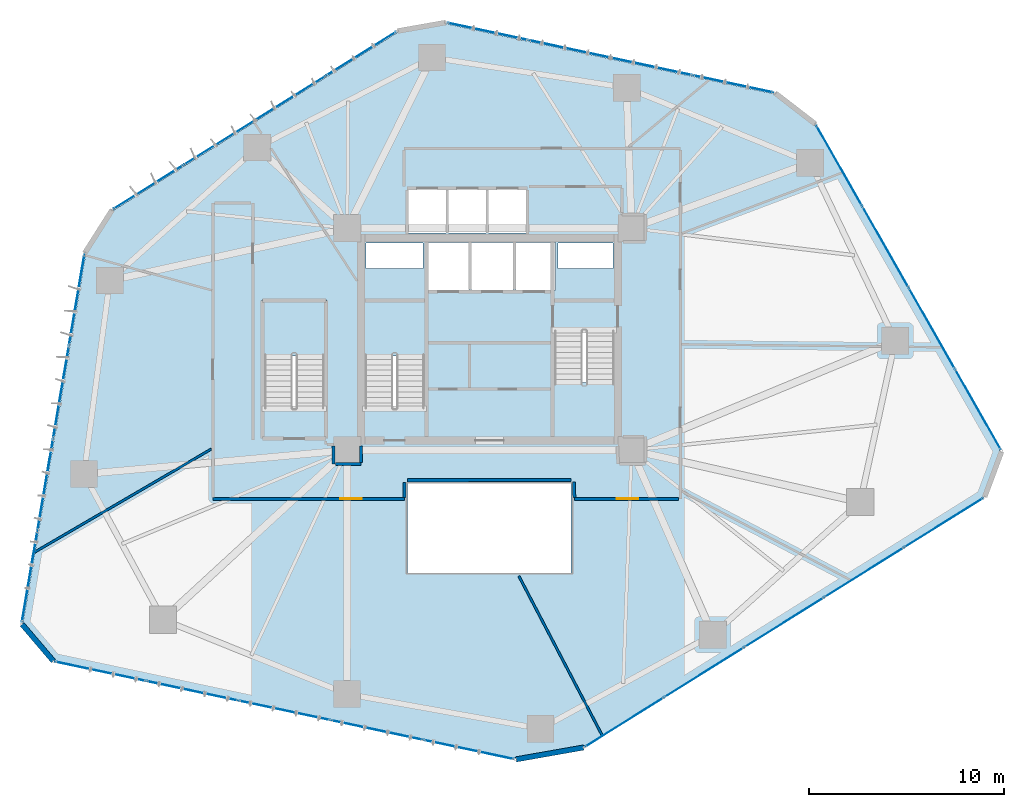
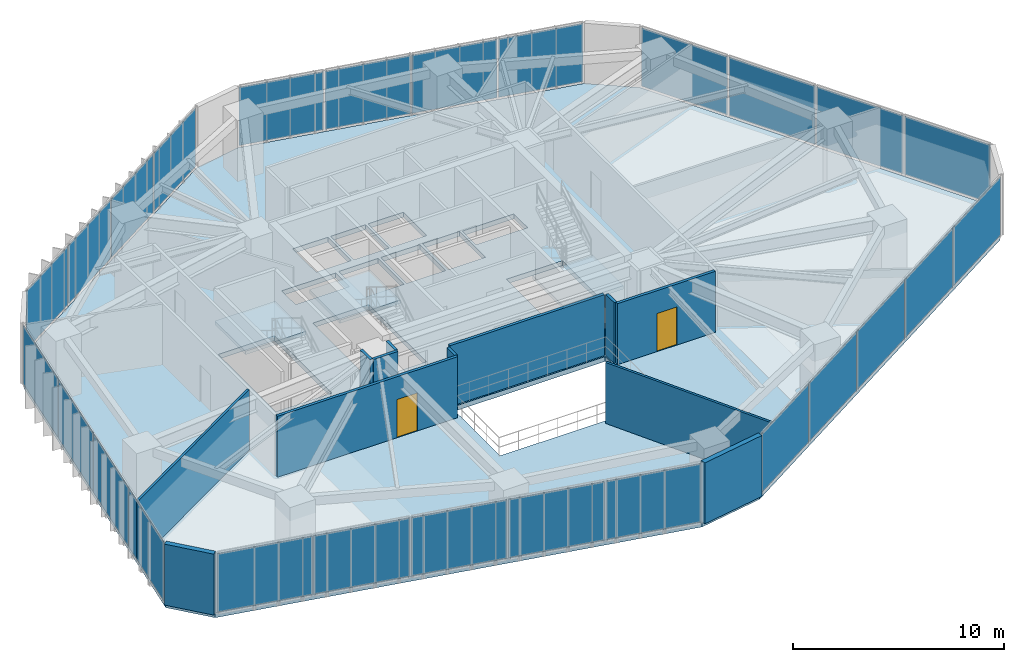
# One storey, part 16 of 22: 26 plates, 12 walls, 4 slabs, 2 doors, 2 openings, 9 elements without a shape of their own.
"""IFC4 building model written with IfcOpenShell, lengths in metres."""

from ifc_helpers import new_model, si_unit, direction, frame, frame_2d, origin, origin_2d, place, context, subcontext, project, spatial, polyline, rectangle, outline, extrude, source, transform, mapped, material, layer, layer_set, type_object, type_shapes, element, fill, aggregate, save


model = new_model("IFC4")

# Units and contexts
model_context = context("Model", 3, precision=1e-05, world=origin(), true_north=direction((0.0, 1.0)))
body_context = subcontext(model_context, "Body", "Model", "MODEL_VIEW")
ifc_project = project(units=[si_unit("LENGTHUNIT", "METRE"), si_unit("AREAUNIT", "SQUARE_METRE"), si_unit("VOLUMEUNIT", "CUBIC_METRE"), si_unit("PLANEANGLEUNIT", "RADIAN"), si_unit("MASSUNIT", "GRAM", prefix="KILO")], contexts=[model_context])

# Site, building, storey
site_placement = place(None, origin())
site = spatial("IfcSite", under=ifc_project, at=site_placement, CompositionType="ELEMENT")
building_placement = place(site_placement, origin())
building = spatial("IfcBuilding", under=site, at=building_placement, Name="Talar Marvaseh", CompositionType="ELEMENT")
storey_placement = place(building_placement, frame((0.0, 0.0, 54.39990234375)))
storey = spatial("IfcBuildingStorey", under=building, at=storey_placement, Name="L13", CompositionType="ELEMENT", Elevation=54.39990234375)

# Stair, slab
ifc_material_1 = material(Name="Concrete C40/50", Category="concrete")
stair_type = type_object("IfcStairType", Name="Reinforced Concrete Half-Turn Exit Stair Type B", PredefinedType="HALF_TURN_STAIR", material=ifc_material_1)
stair_1_placement = place(storey_placement, origin())
stair_1 = element("IfcStair", 1, at=stair_1_placement, inside=storey, type_object=stair_type, Name="L13 Tower West Core Exit Stair", PredefinedType="HALF_TURN_STAIR")
ifc_layer_1 = layer(ifc_material_1, 0.199951171875)
ifc_layer_set_1 = layer_set([ifc_layer_1], Name="Concrete C40/50")
slab_type_1 = type_object("IfcSlabType", Name="Reinforced Concrete Stair Half-Landing Slab 200", PredefinedType="LANDING", material=ifc_layer_set_1)
slab_1_placement = place(storey_placement, frame((0.0, 0.0, 1.7001953125)))
slab_1 = element("IfcSlab", 2, at=slab_1_placement, type_object=slab_type_1, Name="ST-1 landing 1", PredefinedType="LANDING", context=body_context, shape_type="SweptSolid", body=[
    extrude(outline(polyline([(22.780029296875, 30.330078125), (22.780029296875, 33.219970703125), (19.47998046875, 33.219970703125), (19.47998046875, 30.330078125), (22.780029296875, 30.330078125)])), origin(), (0.0, 0.0, 1.0), 0.199951171875),
])
aggregate(stair_1, [slab_1])

stair_2_placement = place(storey_placement, origin())
stair_2 = element("IfcStair", 3, at=stair_2_placement, inside=storey, type_object=stair_type, Name="L13 Tower East Core Exit Stair", PredefinedType="HALF_TURN_STAIR")
slab_2_placement = place(storey_placement, frame((0.0, 0.0, 1.7001953125)))
slab_2 = element("IfcSlab", 4, at=slab_2_placement, type_object=slab_type_1, Name="ST-2 landing 1", PredefinedType="LANDING", context=body_context, shape_type="SweptSolid", body=[
    extrude(outline(polyline([(29.219970703125, 28.969970703125), (29.219970703125, 26.080078125), (32.52001953125, 26.080078125), (32.52001953125, 28.969970703125), (29.219970703125, 28.969970703125)])), origin(), (0.0, 0.0, 1.0), 0.199951171875),
])
aggregate(stair_2, [slab_2])

stair_3_placement = place(storey_placement, origin())
stair_3 = element("IfcStair", 5, at=stair_3_placement, inside=storey, type_object=stair_type, Name="L13 Museum & Podium Auxiliary Exit Stair", PredefinedType="HALF_TURN_STAIR")
slab_3_placement = place(storey_placement, frame((0.0, 0.0, 1.7001953125)))
slab_3 = element("IfcSlab", 6, at=slab_3_placement, type_object=slab_type_1, Name="ST-3 landing 1", PredefinedType="LANDING", context=body_context, shape_type="SweptSolid", body=[
    extrude(outline(polyline([(17.6201171875, 30.330078125), (17.6201171875, 33.219970703125), (14.320068359375, 33.219970703125), (14.320068359375, 30.330078125), (17.6201171875, 30.330078125)])), origin(), (0.0, 0.0, 1.0), 0.199951171875),
])
aggregate(stair_3, [slab_3])

# Slab
ifc_layer_2 = layer(ifc_material_1, 0.280029296875)
ifc_layer_set_2 = layer_set([ifc_layer_2], Name="Concrete C40/50")
slab_type_2 = type_object("IfcSlabType", Name="Structural Suspended Floor Slab 280", PredefinedType="FLOOR", material=ifc_layer_set_2)
slab_4_placement = place(storey_placement, frame((0.0, 0.0, -0.27978515625)))
element("IfcSlab", 7, at=slab_4_placement, inside=storey, type_object=slab_type_2, Name="L13 Tower Floor Slab", PredefinedType="FLOOR", context=body_context, shape_type="SweptSolid", body=[
    extrude(outline(polyline([(3.6494140625, 14.71044921875), (2.03857421875, 16.6015625), (5.269287109375, 35.59521484375), (6.674072265625, 37.810791015625), (21.289794921875, 46.968017578125), (23.767578125, 47.40478515625), (40.634033203125, 43.798828125), (42.711669921875, 42.197265625), (52.243896484375, 25.4541015625), (51.376953125, 23.126220703125), (30.82958984375, 10.291259765625), (27.347412109375, 9.67724609375), (3.6494140625, 14.71044921875)]), holes=[polyline([(22.659912109375, 27.64990234375), (22.659912109375, 33.10009765625), (19.60009765625, 33.10009765625), (19.60009765625, 27.64990234375), (22.659912109375, 27.64990234375)]), polyline([(29.340087890625, 31.64990234375), (29.340087890625, 26.199951171875), (32.39990234375, 26.199951171875), (32.39990234375, 31.64990234375), (29.340087890625, 31.64990234375)]), polyline([(17.5, 27.64990234375), (17.5, 33.10009765625), (14.43994140625, 33.10009765625), (14.43994140625, 27.64990234375), (17.5, 27.64990234375)]), polyline([(22.800048828125, 33.719970703125), (24.93994140625, 33.719970703125), (24.93994140625, 36.179931640625), (22.800048828125, 36.179931640625), (22.800048828125, 33.719970703125)]), polyline([(25.080078125, 33.719970703125), (27.219970703125, 33.719970703125), (27.219970703125, 36.179931640625), (25.080078125, 36.179931640625), (25.080078125, 33.719970703125)]), polyline([(27.360107421875, 33.719970703125), (29.39990234375, 33.719970703125), (29.39990234375, 36.179931640625), (27.360107421875, 36.179931640625), (27.360107421875, 33.719970703125)]), polyline([(21.840087890625, 36.659912109375), (23.760009765625, 36.659912109375), (23.760009765625, 38.8798828125), (21.840087890625, 38.8798828125), (21.840087890625, 36.659912109375)]), polyline([(23.89990234375, 36.659912109375), (25.820068359375, 36.659912109375), (25.820068359375, 38.8798828125), (23.89990234375, 38.8798828125), (23.89990234375, 36.659912109375)]), polyline([(25.9599609375, 36.659912109375), (27.8798828125, 36.659912109375), (27.8798828125, 38.8798828125), (25.9599609375, 38.8798828125), (25.9599609375, 36.659912109375)]), polyline([(19.659912109375, 34.840087890625), (22.60009765625, 34.840087890625), (22.60009765625, 36.139892578125), (19.659912109375, 36.139892578125), (19.659912109375, 34.840087890625)]), polyline([(29.52001953125, 34.840087890625), (32.340087890625, 34.840087890625), (32.340087890625, 36.139892578125), (29.52001953125, 36.139892578125), (29.52001953125, 34.840087890625)]), polyline([(21.800048828125, 19.199951171875), (30.199951171875, 19.199951171875), (30.199951171875, 23.800048828125), (21.800048828125, 23.800048828125), (21.800048828125, 19.199951171875)])]), origin(), (0.0, 0.0, 1.0), 0.27978515625),
])

# Curtain wall, plates
ifc_material_2 = material(Name="Architectural Aluminium", Category="aluminium")
ifc_layer_3 = layer(ifc_material_2, 0.219970703125)
ifc_layer_set_3 = layer_set([ifc_layer_3], Name="Architectural Aluminium")
curtain_wall_type = type_object("IfcCurtainWallType", Name="Unitised Low-E Museum Curtain Wall Z1", PredefinedType="NOTDEFINED", material=ifc_layer_set_3)
curtain_wall_1_placement = place(storey_placement, origin())
curtain_wall_1 = element("IfcCurtainWall", 8, at=curtain_wall_1_placement, inside=storey, type_object=curtain_wall_type, Name="L13 Unitised Low-E Museum Curtain Wall Z1", PredefinedType="NOTDEFINED")
ifc_material_3 = material(Name="Laminated Low-E Solar Glass", Category="glass")
ifc_layer_4 = layer(ifc_material_3, 0.028076171875)
ifc_layer_set_4 = layer_set([ifc_layer_4], Name="Laminated Low-E Solar Glass")
plate_type = type_object("IfcPlateType", Name="Double-Glazed Low-E Vision Curtain Panel 28", PredefinedType="CURTAIN_PANEL", material=ifc_layer_set_4)
shared_shape_1 = source(origin(), body_context, "Body", "SweptSolid", [
    extrude(rectangle(XDim=4.696533203125, YDim=0.028076171875, at=origin_2d()), origin(), (0.0, 0.0, 1.0), 3.3701171875),
])
plate_1_placement = place(storey_placement, frame((2.386474609375, 19.005615234375, 0.074951171875), z_axis=(0.0, 0.0, 1.0), x_axis=(0.167691593063, 0.985839504999, 0.0)))
plate_1 = element("IfcPlate", 9, at=plate_1_placement, type_object=plate_type, Name="CW-Z1 panel 1.1", PredefinedType="CURTAIN_PANEL", context=body_context, shape_type="MappedRepresentation", body=[
    mapped(shared_shape_1, transform((0.0, 0.0, 0.0), x_axis=(1.0, 0.0, 0.0), y_axis=(0.0, 1.0, 0.0), z_axis=(0.0, 0.0, 1.0), scale=1.0)),
])
plate_2_placement = place(storey_placement, frame((4.802978515625, 33.211181640625, 0.074951171875), z_axis=(0.0, 0.0, 1.0), x_axis=(0.167691593063, 0.985839504999, 0.0)))
plate_2 = element("IfcPlate", 10, at=plate_2_placement, type_object=plate_type, Name="CW-Z1 panel 4.1", PredefinedType="CURTAIN_PANEL", context=body_context, shape_type="MappedRepresentation", body=[
    mapped(shared_shape_1, transform((0.0, 0.0, 0.0), x_axis=(1.0, 0.0, 0.0), y_axis=(0.0, 1.0, 0.0), z_axis=(0.0, 0.0, 1.0), scale=1.0)),
])

curtain_wall_2_placement = place(storey_placement, origin())
curtain_wall_2 = element("IfcCurtainWall", 11, at=curtain_wall_2_placement, inside=storey, type_object=curtain_wall_type, Name="L13 Unitised Low-E Museum Curtain Wall Z1", PredefinedType="NOTDEFINED")
plate_3_placement = place(storey_placement, frame((43.96533203125, 40.11669921875, 0.074951171875), z_axis=(0.0, 0.0, 1.0), x_axis=(0.494761589101, -0.869028750934, 0.0)))
plate_3 = element("IfcPlate", 12, at=plate_3_placement, type_object=plate_type, Name="CW-Z1 panel 1.1", PredefinedType="CURTAIN_PANEL", context=body_context, shape_type="MappedRepresentation", body=[
    mapped(shared_shape_1, transform((0.0, 0.0, 0.0), x_axis=(1.0, 0.0, 0.0), y_axis=(0.0, 1.0, 0.0), z_axis=(0.0, 0.0, 1.0), scale=1.0)),
])
plate_4_placement = place(storey_placement, frame((51.0947265625, 27.593994140625, 0.074951171875), z_axis=(0.0, 0.0, 1.0), x_axis=(0.494761589101, -0.869028750934, 0.0)))
plate_4 = element("IfcPlate", 13, at=plate_4_placement, type_object=plate_type, Name="CW-Z1 panel 4.1", PredefinedType="CURTAIN_PANEL", context=body_context, shape_type="MappedRepresentation", body=[
    mapped(shared_shape_1, transform((0.0, 0.0, 0.0), x_axis=(1.0, 0.0, 0.0), y_axis=(0.0, 1.0, 0.0), z_axis=(0.0, 0.0, 1.0), scale=1.0)),
])

# Plate
shared_shape_2 = source(origin(), body_context, "Body", "SweptSolid", [
    extrude(rectangle(XDim=4.736572265625, YDim=0.028076171875, at=origin_2d()), origin(), (0.0, 0.0, 1.0), 3.3701171875),
])
plate_5_placement = place(storey_placement, frame((3.19091796875, 23.734375, 0.074951171875), z_axis=(0.0, 0.0, 1.0), x_axis=(0.167691593063, 0.985839504999, 0.0)))
plate_5 = element("IfcPlate", 14, at=plate_5_placement, type_object=plate_type, Name="CW-Z1 panel 2.1", PredefinedType="CURTAIN_PANEL", context=body_context, shape_type="MappedRepresentation", body=[
    mapped(shared_shape_2, transform((0.0, 0.0, 0.0), x_axis=(1.0, 0.0, 0.0), y_axis=(0.0, 1.0, 0.0), z_axis=(0.0, 0.0, 1.0), scale=1.0)),
])

plate_6_placement = place(storey_placement, frame((3.99853515625, 28.482666015625, 0.074951171875), z_axis=(0.0, 0.0, 1.0), x_axis=(0.167691593063, 0.985839504999, 0.0)))
plate_6 = element("IfcPlate", 15, at=plate_6_placement, type_object=plate_type, Name="CW-Z1 panel 3.1", PredefinedType="CURTAIN_PANEL", context=body_context, shape_type="MappedRepresentation", body=[
    mapped(shared_shape_2, transform((0.0, 0.0, 0.0), x_axis=(1.0, 0.0, 0.0), y_axis=(0.0, 1.0, 0.0), z_axis=(0.0, 0.0, 1.0), scale=1.0)),
])

aggregate(curtain_wall_1, [plate_1, plate_5, plate_6, plate_2])

plate_7_placement = place(storey_placement, frame((46.33837890625, 35.9482421875, 0.074951171875), z_axis=(0.0, 0.0, 1.0), x_axis=(0.494761589101, -0.869028750934, 0.0)))
plate_7 = element("IfcPlate", 16, at=plate_7_placement, type_object=plate_type, Name="CW-Z1 panel 2.1", PredefinedType="CURTAIN_PANEL", context=body_context, shape_type="MappedRepresentation", body=[
    mapped(shared_shape_2, transform((0.0, 0.0, 0.0), x_axis=(1.0, 0.0, 0.0), y_axis=(0.0, 1.0, 0.0), z_axis=(0.0, 0.0, 1.0), scale=1.0)),
])

plate_8_placement = place(storey_placement, frame((48.721435546875, 31.762451171875, 0.074951171875), z_axis=(0.0, 0.0, 1.0), x_axis=(0.494761589101, -0.869028750934, 0.0)))
plate_8 = element("IfcPlate", 17, at=plate_8_placement, type_object=plate_type, Name="CW-Z1 panel 3.1", PredefinedType="CURTAIN_PANEL", context=body_context, shape_type="MappedRepresentation", body=[
    mapped(shared_shape_2, transform((0.0, 0.0, 0.0), x_axis=(1.0, 0.0, 0.0), y_axis=(0.0, 1.0, 0.0), z_axis=(0.0, 0.0, 1.0), scale=1.0)),
])

aggregate(curtain_wall_2, [plate_3, plate_7, plate_8, plate_4])

# Curtain wall, plates
curtain_wall_3_placement = place(storey_placement, origin())
curtain_wall_3 = element("IfcCurtainWall", 18, at=curtain_wall_3_placement, inside=storey, type_object=curtain_wall_type, Name="L13 Unitised Low-E Museum Curtain Wall Z1", PredefinedType="NOTDEFINED")
shared_shape_3 = source(origin(), body_context, "Body", "SweptSolid", [
    extrude(rectangle(XDim=4.19189453125, YDim=0.028076171875, at=origin_2d()), origin(), (0.0, 0.0, 1.0), 3.3701171875),
])
plate_9_placement = place(storey_placement, frame((8.486083984375, 39.016845703125, 0.074951171875), z_axis=(0.0, 0.0, 1.0), x_axis=(0.847417678646, 0.530926810321, 0.0)))
plate_9 = element("IfcPlate", 19, at=plate_9_placement, type_object=plate_type, Name="CW-Z1 panel 1.1", PredefinedType="CURTAIN_PANEL", context=body_context, shape_type="MappedRepresentation", body=[
    mapped(shared_shape_3, transform((0.0, 0.0, 0.0), x_axis=(1.0, 0.0, 0.0), y_axis=(0.0, 1.0, 0.0), z_axis=(0.0, 0.0, 1.0), scale=1.0)),
])
plate_10_placement = place(storey_placement, frame((19.4140625, 45.863525390625, 0.074951171875), z_axis=(0.0, 0.0, 1.0), x_axis=(0.847417678646, 0.530926810321, 0.0)))
plate_10 = element("IfcPlate", 20, at=plate_10_placement, type_object=plate_type, Name="CW-Z1 panel 4.1", PredefinedType="CURTAIN_PANEL", context=body_context, shape_type="MappedRepresentation", body=[
    mapped(shared_shape_3, transform((0.0, 0.0, 0.0), x_axis=(1.0, 0.0, 0.0), y_axis=(0.0, 1.0, 0.0), z_axis=(0.0, 0.0, 1.0), scale=1.0)),
])

curtain_wall_4_placement = place(storey_placement, origin())
curtain_wall_4 = element("IfcCurtainWall", 21, at=curtain_wall_4_placement, inside=storey, type_object=curtain_wall_type, Name="L13 Unitised Low-E Museum Curtain Wall Z1", PredefinedType="NOTDEFINED")
plate_11_placement = place(storey_placement, frame((25.907958984375, 47.008544921875, 0.074951171875), z_axis=(0.0, 0.0, 1.0), x_axis=(0.977900052096, -0.20907292534, 0.0)))
plate_11 = element("IfcPlate", 22, at=plate_11_placement, type_object=plate_type, Name="CW-Z1 panel 1.1", PredefinedType="CURTAIN_PANEL", context=body_context, shape_type="MappedRepresentation", body=[
    mapped(shared_shape_3, transform((0.0, 0.0, 0.0), x_axis=(1.0, 0.0, 0.0), y_axis=(0.0, 1.0, 0.0), z_axis=(0.0, 0.0, 1.0), scale=1.0)),
])
plate_12_placement = place(storey_placement, frame((38.518798828125, 44.3125, 0.074951171875), z_axis=(0.0, 0.0, 1.0), x_axis=(0.977900052096, -0.20907292534, 0.0)))
plate_12 = element("IfcPlate", 23, at=plate_12_placement, type_object=plate_type, Name="CW-Z1 panel 4.1", PredefinedType="CURTAIN_PANEL", context=body_context, shape_type="MappedRepresentation", body=[
    mapped(shared_shape_3, transform((0.0, 0.0, 0.0), x_axis=(1.0, 0.0, 0.0), y_axis=(0.0, 1.0, 0.0), z_axis=(0.0, 0.0, 1.0), scale=1.0)),
])

# Plate
shared_shape_4 = source(origin(), body_context, "Body", "SweptSolid", [
    extrude(rectangle(XDim=4.23193359375, YDim=0.028076171875, at=origin_2d()), origin(), (0.0, 0.0, 1.0), 3.3701171875),
])
plate_13_placement = place(storey_placement, frame((12.123046875, 41.29541015625, 0.074951171875), z_axis=(0.0, 0.0, 1.0), x_axis=(0.847417678646, 0.530926810321, 0.0)))
plate_13 = element("IfcPlate", 24, at=plate_13_placement, type_object=plate_type, Name="CW-Z1 panel 2.1", PredefinedType="CURTAIN_PANEL", context=body_context, shape_type="MappedRepresentation", body=[
    mapped(shared_shape_4, transform((0.0, 0.0, 0.0), x_axis=(1.0, 0.0, 0.0), y_axis=(0.0, 1.0, 0.0), z_axis=(0.0, 0.0, 1.0), scale=1.0)),
])

plate_14_placement = place(storey_placement, frame((15.777099609375, 43.584716796875, 0.074951171875), z_axis=(0.0, 0.0, 1.0), x_axis=(0.847417678646, 0.530926810321, 0.0)))
plate_14 = element("IfcPlate", 25, at=plate_14_placement, type_object=plate_type, Name="CW-Z1 panel 3.1", PredefinedType="CURTAIN_PANEL", context=body_context, shape_type="MappedRepresentation", body=[
    mapped(shared_shape_4, transform((0.0, 0.0, 0.0), x_axis=(1.0, 0.0, 0.0), y_axis=(0.0, 1.0, 0.0), z_axis=(0.0, 0.0, 1.0), scale=1.0)),
])

aggregate(curtain_wall_3, [plate_9, plate_13, plate_14, plate_10])

plate_15_placement = place(storey_placement, frame((30.10498046875, 46.111328125, 0.074951171875), z_axis=(0.0, 0.0, 1.0), x_axis=(0.977900052096, -0.20907292534, 0.0)))
plate_15 = element("IfcPlate", 26, at=plate_15_placement, type_object=plate_type, Name="CW-Z1 panel 2.1", PredefinedType="CURTAIN_PANEL", context=body_context, shape_type="MappedRepresentation", body=[
    mapped(shared_shape_4, transform((0.0, 0.0, 0.0), x_axis=(1.0, 0.0, 0.0), y_axis=(0.0, 1.0, 0.0), z_axis=(0.0, 0.0, 1.0), scale=1.0)),
])

plate_16_placement = place(storey_placement, frame((34.32177734375, 45.209716796875, 0.074951171875), z_axis=(0.0, 0.0, 1.0), x_axis=(0.977900052096, -0.20907292534, 0.0)))
plate_16 = element("IfcPlate", 27, at=plate_16_placement, type_object=plate_type, Name="CW-Z1 panel 3.1", PredefinedType="CURTAIN_PANEL", context=body_context, shape_type="MappedRepresentation", body=[
    mapped(shared_shape_4, transform((0.0, 0.0, 0.0), x_axis=(1.0, 0.0, 0.0), y_axis=(0.0, 1.0, 0.0), z_axis=(0.0, 0.0, 1.0), scale=1.0)),
])

aggregate(curtain_wall_4, [plate_11, plate_15, plate_16, plate_12])

# Curtain wall, plates
curtain_wall_5_placement = place(storey_placement, origin())
curtain_wall_5 = element("IfcCurtainWall", 28, at=curtain_wall_5_placement, inside=storey, type_object=curtain_wall_type, Name="L13 Unitised Low-E Museum Curtain Wall Z1", PredefinedType="NOTDEFINED")
shared_shape_5 = source(origin(), body_context, "Body", "SweptSolid", [
    extrude(rectangle(XDim=4.725341796875, YDim=0.028076171875, at=origin_2d()), origin(), (0.0, 0.0, 1.0), 3.3701171875),
])
plate_17_placement = place(storey_placement, frame((49.337158203125, 21.78125, 0.074951171875), z_axis=(0.0, 0.0, 1.0), x_axis=(-0.848130456081, -0.529787438005, 0.0)))
plate_17 = element("IfcPlate", 29, at=plate_17_placement, type_object=plate_type, Name="CW-Z1 panel 1.1", PredefinedType="CURTAIN_PANEL", context=body_context, shape_type="MappedRepresentation", body=[
    mapped(shared_shape_5, transform((0.0, 0.0, 0.0), x_axis=(1.0, 0.0, 0.0), y_axis=(0.0, 1.0, 0.0), z_axis=(0.0, 0.0, 1.0), scale=1.0)),
])
plate_18_placement = place(storey_placement, frame((32.93310546875, 11.534423828125, 0.074951171875), z_axis=(0.0, 0.0, 1.0), x_axis=(-0.848130456081, -0.529787438005, 0.0)))
plate_18 = element("IfcPlate", 30, at=plate_18_placement, type_object=plate_type, Name="CW-Z1 panel 5.1", PredefinedType="CURTAIN_PANEL", context=body_context, shape_type="MappedRepresentation", body=[
    mapped(shared_shape_5, transform((0.0, 0.0, 0.0), x_axis=(1.0, 0.0, 0.0), y_axis=(0.0, 1.0, 0.0), z_axis=(0.0, 0.0, 1.0), scale=1.0)),
])

curtain_wall_6_placement = place(storey_placement, origin())
curtain_wall_6 = element("IfcCurtainWall", 31, at=curtain_wall_6_placement, inside=storey, type_object=curtain_wall_type, Name="L13 Unitised Low-E Museum Curtain Wall Z1", PredefinedType="NOTDEFINED")
plate_19_placement = place(storey_placement, frame((24.945556640625, 10.1259765625, 0.074951171875), z_axis=(0.0, 0.0, 1.0), x_axis=(-0.978180214745, 0.207758194737, 0.0)))
plate_19 = element("IfcPlate", 32, at=plate_19_placement, type_object=plate_type, Name="CW-Z1 panel 1.1", PredefinedType="CURTAIN_PANEL", context=body_context, shape_type="MappedRepresentation", body=[
    mapped(shared_shape_5, transform((0.0, 0.0, 0.0), x_axis=(1.0, 0.0, 0.0), y_axis=(0.0, 1.0, 0.0), z_axis=(0.0, 0.0, 1.0), scale=1.0)),
])
plate_20_placement = place(storey_placement, frame((6.026123046875, 14.144287109375, 0.074951171875), z_axis=(0.0, 0.0, 1.0), x_axis=(-0.978180214745, 0.207758194737, 0.0)))
plate_20 = element("IfcPlate", 33, at=plate_20_placement, type_object=plate_type, Name="CW-Z1 panel 5.1", PredefinedType="CURTAIN_PANEL", context=body_context, shape_type="MappedRepresentation", body=[
    mapped(shared_shape_5, transform((0.0, 0.0, 0.0), x_axis=(1.0, 0.0, 0.0), y_axis=(0.0, 1.0, 0.0), z_axis=(0.0, 0.0, 1.0), scale=1.0)),
])

# Plate
shared_shape_6 = source(origin(), body_context, "Body", "SweptSolid", [
    extrude(rectangle(XDim=4.765380859375, YDim=0.028076171875, at=origin_2d()), origin(), (0.0, 0.0, 1.0), 3.3701171875),
])
type_shapes(plate_type, [shared_shape_1, shared_shape_2, shared_shape_3, shared_shape_4, shared_shape_5, shared_shape_6])
plate_21_placement = place(storey_placement, frame((45.24462890625, 19.224853515625, 0.074951171875), z_axis=(0.0, 0.0, 1.0), x_axis=(-0.848130456081, -0.529787438005, 0.0)))
plate_21 = element("IfcPlate", 34, at=plate_21_placement, type_object=plate_type, Name="CW-Z1 panel 2.1", PredefinedType="CURTAIN_PANEL", context=body_context, shape_type="MappedRepresentation", body=[
    mapped(shared_shape_6, transform((0.0, 0.0, 0.0), x_axis=(1.0, 0.0, 0.0), y_axis=(0.0, 1.0, 0.0), z_axis=(0.0, 0.0, 1.0), scale=1.0)),
])

plate_22_placement = place(storey_placement, frame((41.135009765625, 16.65771484375, 0.074951171875), z_axis=(0.0, 0.0, 1.0), x_axis=(-0.848130456081, -0.529787438005, 0.0)))
plate_22 = element("IfcPlate", 35, at=plate_22_placement, type_object=plate_type, Name="CW-Z1 panel 3.1", PredefinedType="CURTAIN_PANEL", context=body_context, shape_type="MappedRepresentation", body=[
    mapped(shared_shape_6, transform((0.0, 0.0, 0.0), x_axis=(1.0, 0.0, 0.0), y_axis=(0.0, 1.0, 0.0), z_axis=(0.0, 0.0, 1.0), scale=1.0)),
])

plate_23_placement = place(storey_placement, frame((37.025634765625, 14.0908203125, 0.074951171875), z_axis=(0.0, 0.0, 1.0), x_axis=(-0.848130456081, -0.529787438005, 0.0)))
plate_23 = element("IfcPlate", 36, at=plate_23_placement, type_object=plate_type, Name="CW-Z1 panel 4.1", PredefinedType="CURTAIN_PANEL", context=body_context, shape_type="MappedRepresentation", body=[
    mapped(shared_shape_6, transform((0.0, 0.0, 0.0), x_axis=(1.0, 0.0, 0.0), y_axis=(0.0, 1.0, 0.0), z_axis=(0.0, 0.0, 1.0), scale=1.0)),
])

aggregate(curtain_wall_5, [plate_17, plate_21, plate_22, plate_23, plate_18])

plate_24_placement = place(storey_placement, frame((20.2255859375, 11.12841796875, 0.074951171875), z_axis=(0.0, 0.0, 1.0), x_axis=(-0.978180214745, 0.207758194737, 0.0)))
plate_24 = element("IfcPlate", 37, at=plate_24_placement, type_object=plate_type, Name="CW-Z1 panel 2.1", PredefinedType="CURTAIN_PANEL", context=body_context, shape_type="MappedRepresentation", body=[
    mapped(shared_shape_6, transform((0.0, 0.0, 0.0), x_axis=(1.0, 0.0, 0.0), y_axis=(0.0, 1.0, 0.0), z_axis=(0.0, 0.0, 1.0), scale=1.0)),
])

plate_25_placement = place(storey_placement, frame((15.48583984375, 12.13525390625, 0.074951171875), z_axis=(0.0, 0.0, 1.0), x_axis=(-0.978180214745, 0.207758194737, 0.0)))
plate_25 = element("IfcPlate", 38, at=plate_25_placement, type_object=plate_type, Name="CW-Z1 panel 3.1", PredefinedType="CURTAIN_PANEL", context=body_context, shape_type="MappedRepresentation", body=[
    mapped(shared_shape_6, transform((0.0, 0.0, 0.0), x_axis=(1.0, 0.0, 0.0), y_axis=(0.0, 1.0, 0.0), z_axis=(0.0, 0.0, 1.0), scale=1.0)),
])

plate_26_placement = place(storey_placement, frame((10.746337890625, 13.141845703125, 0.074951171875), z_axis=(0.0, 0.0, 1.0), x_axis=(-0.978180214745, 0.207758194737, 0.0)))
plate_26 = element("IfcPlate", 39, at=plate_26_placement, type_object=plate_type, Name="CW-Z1 panel 4.1", PredefinedType="CURTAIN_PANEL", context=body_context, shape_type="MappedRepresentation", body=[
    mapped(shared_shape_6, transform((0.0, 0.0, 0.0), x_axis=(1.0, 0.0, 0.0), y_axis=(0.0, 1.0, 0.0), z_axis=(0.0, 0.0, 1.0), scale=1.0)),
])

aggregate(curtain_wall_6, [plate_19, plate_24, plate_25, plate_26, plate_20])

# Walls
ifc_material_4 = material(Name="Precast concrete C45/55", Category="concrete")
ifc_layer_5 = layer(ifc_material_4, 0.27001953125)
ifc_layer_set_5 = layer_set([ifc_layer_5], Name="Precast concrete C45/55")
wall_type_1 = type_object("IfcWallType", Name="Chamfered Hexagonal Corner Pier Wall Z1 270", PredefinedType="SOLIDWALL", material=ifc_layer_set_5)
wall_1_placement = place(storey_placement, frame((3.603515625, 14.671630859375, 0.0), z_axis=(0.0, 0.0, 1.0), x_axis=(-0.648384183298, 0.761313306628, 0.0)))
element("IfcWall", 40, at=wall_1_placement, inside=storey, type_object=wall_type_1, Name="L13 Chamfered Corner Limestone Pier 1", PredefinedType="SOLIDWALL", context=body_context, shape_type="SweptSolid", body=[
    extrude(rectangle(XDim=2.484130859375, YDim=0.27001953125, at=frame_2d((1.2421875, 0.0))), origin(), (0.0, 0.0, 1.0), 3.52001953125),
])
wall_2_placement = place(storey_placement, frame((30.840087890625, 10.232177734375, 0.0), z_axis=(0.0, 0.0, 1.0), x_axis=(-0.984807183004, -0.17365141031, 0.0)))
element("IfcWall", 41, at=wall_2_placement, inside=storey, type_object=wall_type_1, Name="L13 Chamfered Corner Limestone Pier 6", PredefinedType="SOLIDWALL", context=body_context, shape_type="SweptSolid", body=[
    extrude(rectangle(XDim=3.535888671875, YDim=0.27001953125, at=frame_2d((1.76806640625, 0.0))), origin(), (0.0, 0.0, 1.0), 3.52001953125),
])

# Wall, opening, door
ifc_material_5 = material(Name="Gypsum Board Partition Assembly")
ifc_layer_6 = layer(ifc_material_5, 0.155029296875)
ifc_layer_set_6 = layer_set([ifc_layer_6], Name="Gypsum Board Partition Assembly")
wall_type_2 = type_object("IfcWallType", Name="Corridor Fire-Rated Acoustic Partition 155", PredefinedType="PARTITIONING", material=ifc_layer_set_6)
wall_3_placement = place(storey_placement, frame((21.639892578125, 23.0, 0.0), z_axis=(0.0, 0.0, 1.0), x_axis=(-1.0, 0.0, 0.0)))
wall_3 = element("IfcWall", 42, at=wall_3_placement, inside=storey, type_object=wall_type_2, Name="L13 Interior Partition Wall", PredefinedType="PARTITIONING", context=body_context, shape_type="SweptSolid", body=[
    extrude(rectangle(XDim=9.83984375, YDim=0.155029296875, at=frame_2d((4.919921875, 0.0))), origin(), (0.0, 0.0, 1.0), 3.52001953125),
])
opening_1_placement = place(wall_3_placement, frame((2.205078125, 0.0, 0.0)))
opening_1 = element("IfcOpeningElement", 43, at=opening_1_placement, cuts=wall_3, Name="Opening DR-RM110", PredefinedType="OPENING", context=body_context, shape_type="SweptSolid", body=[
    extrude(rectangle(XDim=1.10009765625, YDim=2.199951171875, at=frame_2d((0.550048828125, 1.10009765625))), frame((0.0, 0.08740234375, 0.0), z_axis=(0.0, -1.0, 0.0), x_axis=(1.0, 0.0, 0.0)), (0.0, 0.0, 1.0), 0.175048828125),
])
ifc_material_6 = material(Name="Acoustic Engineered Oak Timber", Category="wood")
door_type = type_object("IfcDoorType", Name="Assembly and Reading Hall Door 1100x2200", OperationType="NOTDEFINED", PredefinedType="DOOR", material=ifc_material_6)
shared_shape_7 = source(origin(), body_context, "Body", "SweptSolid", [
    extrude(rectangle(XDim=1.10009765625, YDim=2.199951171875, at=frame_2d((0.550048828125, 1.10009765625))), frame((0.0, 0.02490234375, 0.0), z_axis=(0.0, -1.0, 0.0), x_axis=(1.0, 0.0, 0.0)), (0.0, 0.0, 1.0), 0.050048828125),
])
type_shapes(door_type, [shared_shape_7])
door_1_placement = place(opening_1_placement, origin())
door_1 = element("IfcDoor", 44, at=door_1_placement, inside=storey, type_object=door_type, Name="L13 Exhibition Gallery Door", OperationType="SINGLE_SWING_RIGHT", OverallHeight=2.199951171875, OverallWidth=1.10009765625, PredefinedType="DOOR", context=body_context, shape_type="MappedRepresentation", body=[
    mapped(shared_shape_7, transform((0.0, 0.0, 0.0), x_axis=(1.0, 0.0, 0.0), y_axis=(0.0, 1.0, 0.0), z_axis=(0.0, 0.0, 1.0), scale=1.0)),
])
fill(opening_1, door_1)

wall_4_placement = place(storey_placement, frame((35.716552734375, 23.0, 0.0), z_axis=(0.0, 0.0, 1.0), x_axis=(-1.0, 0.0, 0.0)))
wall_4 = element("IfcWall", 45, at=wall_4_placement, inside=storey, type_object=wall_type_2, Name="L13 Interior Partition Wall", PredefinedType="PARTITIONING", context=body_context, shape_type="SweptSolid", body=[
    extrude(rectangle(XDim=5.3564453125, YDim=0.155029296875, at=frame_2d((2.67822265625, 0.0))), origin(), (0.0, 0.0, 1.0), 3.52001953125),
])
opening_2_placement = place(wall_4_placement, frame((2.08642578125, 0.0, 0.0)))
opening_2 = element("IfcOpeningElement", 46, at=opening_2_placement, cuts=wall_4, Name="Opening DR-RM110", PredefinedType="OPENING", context=body_context, shape_type="SweptSolid", body=[
    extrude(rectangle(XDim=1.10009765625, YDim=2.199951171875, at=frame_2d((0.550048828125, 1.10009765625))), frame((0.0, 0.08740234375, 0.0), z_axis=(0.0, -1.0, 0.0), x_axis=(1.0, 0.0, 0.0)), (0.0, 0.0, 1.0), 0.175048828125),
])
door_2_placement = place(opening_2_placement, origin())
door_2 = element("IfcDoor", 47, at=door_2_placement, inside=storey, type_object=door_type, Name="L13 Gallery Concierge Reception Door", OperationType="SINGLE_SWING_LEFT", OverallHeight=2.199951171875, OverallWidth=1.10009765625, PredefinedType="DOOR", context=body_context, shape_type="MappedRepresentation", body=[
    mapped(shared_shape_7, transform((0.0, 0.0, 0.0), x_axis=(1.0, 0.0, 0.0), y_axis=(0.0, 1.0, 0.0), z_axis=(0.0, 0.0, 1.0), scale=1.0)),
])
fill(opening_2, door_2)

# Walls
wall_5_placement = place(storey_placement, frame((30.199951171875, 23.9599609375, 0.0), z_axis=(0.0, 0.0, 1.0), x_axis=(-0.999999996213, -8.7029677e-05, 0.0)))
element("IfcWall", 48, at=wall_5_placement, inside=storey, type_object=wall_type_2, Name="L13 Interior Partition Wall", PredefinedType="PARTITIONING", context=body_context, shape_type="SweptSolid", body=[
    extrude(rectangle(XDim=8.415771484375, YDim=0.155029296875, at=frame_2d((4.2080078125, 0.0))), origin(), (0.0, 0.0, 1.0), 3.52001953125),
])
wall_6_placement = place(storey_placement, frame((21.64306640625, 23.831298828125, 0.0), z_axis=(0.0, 0.0, 1.0), x_axis=(-0.00359122725, -0.999993551523, 0.0)))
element("IfcWall", 49, at=wall_6_placement, inside=storey, type_object=wall_type_2, Name="L13 Interior Partition Wall", PredefinedType="PARTITIONING", context=body_context, shape_type="SweptSolid", body=[
    extrude(rectangle(XDim=0.747802734375, YDim=0.155029296875, at=frame_2d((0.3740234375, 0.0))), origin(), (0.0, 0.0, 1.0), 3.52001953125),
])
wall_7_placement = place(storey_placement, frame((17.986083984375, 25.716552734375, 0.0), z_axis=(0.0, 0.0, 1.0), x_axis=(0.013367088724, -0.999910656478, 0.0)))
element("IfcWall", 50, at=wall_7_placement, inside=storey, type_object=wall_type_2, Name="L13 Interior Partition Wall", PredefinedType="PARTITIONING", context=body_context, shape_type="SweptSolid", body=[
    extrude(rectangle(XDim=0.931396484375, YDim=0.155029296875, at=frame_2d((0.4658203125, 0.0))), origin(), (0.0, 0.0, 1.0), 3.52001953125),
])
wall_8_placement = place(storey_placement, frame((18.08203125, 24.78515625, 0.0), z_axis=(0.0, 0.0, 1.0), x_axis=(0.99999830547, 0.001840939443, 0.0)))
element("IfcWall", 51, at=wall_8_placement, inside=storey, type_object=wall_type_2, Name="L13 Interior Partition Wall", PredefinedType="PARTITIONING", context=body_context, shape_type="SweptSolid", body=[
    extrude(rectangle(XDim=1.326171875, YDim=0.155029296875, at=frame_2d((0.6630859375, 0.0))), origin(), (0.0, 0.0, 1.0), 3.52001953125),
])
wall_9_placement = place(storey_placement, frame((19.408935546875, 24.87109375, 0.0), z_axis=(0.0, 0.0, 1.0), x_axis=(0.007106130977, 0.999974751133, 0.0)))
element("IfcWall", 52, at=wall_9_placement, inside=storey, type_object=wall_type_2, Name="L13 Interior Partition Wall", PredefinedType="PARTITIONING", context=body_context, shape_type="SweptSolid", body=[
    extrude(rectangle(XDim=0.85888671875, YDim=0.155029296875, at=frame_2d((0.429443359375, 0.0))), origin(), (0.0, 0.0, 1.0), 3.52001953125),
])
wall_10_placement = place(storey_placement, frame((30.358154296875, 23.08349609375, 0.0), z_axis=(0.0, 0.0, 1.0), x_axis=(-0.021573276475, 0.999767269789, 0.0)))
element("IfcWall", 53, at=wall_10_placement, inside=storey, type_object=wall_type_2, Name="L13 Interior Partition Wall", PredefinedType="PARTITIONING", context=body_context, shape_type="SweptSolid", body=[
    extrude(rectangle(XDim=0.792236328125, YDim=0.155029296875, at=frame_2d((0.39599609375, 0.0))), origin(), (0.0, 0.0, 1.0), 3.52001953125),
])
ifc_layer_7 = layer(ifc_material_5, 0.1201171875)
ifc_layer_set_7 = layer_set([ifc_layer_7], Name="Gypsum Board Partition Assembly")
wall_type_3 = type_object("IfcWallType", Name="Demountable Studio Room Partition 120", PredefinedType="PARTITIONING", material=ifc_layer_set_7)
wall_11_placement = place(storey_placement, frame((27.510009765625, 19.0400390625, 0.0), z_axis=(0.0, 0.0, 1.0), x_axis=(0.463476782796, -0.886109063157, 0.0)))
element("IfcWall", 54, at=wall_11_placement, inside=storey, type_object=wall_type_3, Name="L13 Interior Partition Wall", PredefinedType="PARTITIONING", context=body_context, shape_type="SweptSolid", body=[
    extrude(rectangle(XDim=9.240966796875, YDim=0.1201171875, at=frame_2d((4.62060546875, 0.0))), origin(), (0.0, 0.0, 1.0), 3.52001953125),
])
wall_12_placement = place(storey_placement, frame((2.617919921875, 20.252197265625, 0.0), z_axis=(0.0, 0.0, 1.0), x_axis=(0.863715010456, 0.503980536046, 0.0)))
element("IfcWall", 55, at=wall_12_placement, inside=storey, type_object=wall_type_3, Name="L13 Interior Partition Wall", PredefinedType="PARTITIONING", context=body_context, shape_type="SweptSolid", body=[
    extrude(rectangle(XDim=10.5341796875, YDim=0.1201171875, at=frame_2d((5.26708984375, 0.0))), origin(), (0.0, 0.0, 1.0), 3.52001953125),
])

save(model, "model.ifc")
